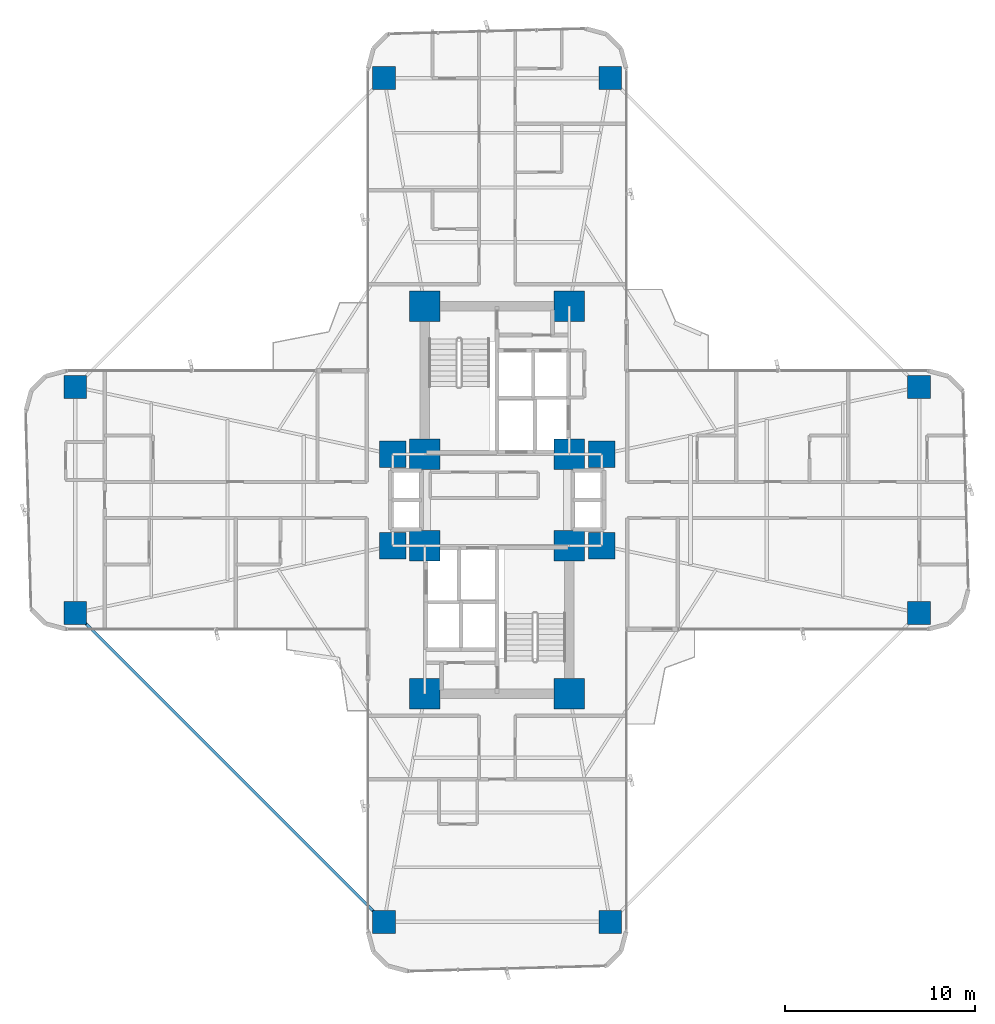
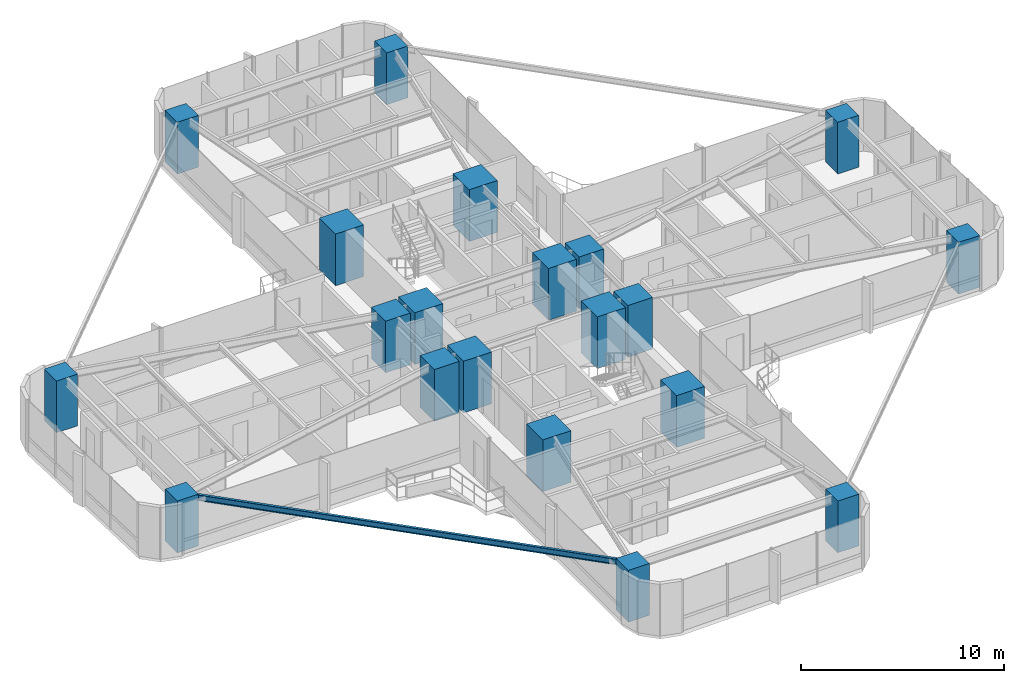
# One storey, part 1 of 26: 20 columns, 1 beam.
"""IFC4 building model written with IfcOpenShell, lengths in metres."""

import ifcopenshell
import ifcopenshell.guid

model = None  # the IFC model being written
_history = None  # IfcOwnerHistory: only IFC2X3 demands one
_inside = {}  # id of a spatial element -> (the spatial element, [elements in it])
_under = {}  # id of a project, library or spatial element -> (it, [spatial elements below it])
_declared = {}  # id of a project -> (the project, [libraries it declares])
_typed = {}  # id of a type object -> (the type object, [elements of that type])
_made_of = {}  # id of a material, layer set ... -> (it, [elements and type objects made of it])


def new_model(schema):
    """Start an empty IFC model of exactly this schema.

    Asked for "IFC4X3", IfcOpenShell would pick the latest addendum, in which some entities
    have other attributes; the version numbers below select the first issue.
    IFC2X3 requires an IfcOwnerHistory on every rooted entity: one is made here for all.
    """
    global model, _history
    if schema == "IFC4X3":
        model = ifcopenshell.file(schema_version=(4, 3, 0, 0))
    else:
        model = ifcopenshell.file(schema=schema)
    _inside.clear()
    _under.clear()
    _declared.clear()
    _typed.clear()
    _made_of.clear()
    _history = None
    if model.schema == "IFC2X3":
        org = make("IfcOrganization", Name="unknown")
        user = make(
            "IfcPersonAndOrganization",
            ThePerson=make("IfcPerson", FamilyName="unknown"),
            TheOrganization=org,
        )
        app = make(
            "IfcApplication",
            ApplicationDeveloper=org,
            Version="unknown",
            ApplicationFullName="unknown",
            ApplicationIdentifier="unknown",
        )
        _history = make(
            "IfcOwnerHistory",
            OwningUser=user,
            OwningApplication=app,
            ChangeAction="ADDED",
            CreationDate=0,
        )
    return model


def make(cls, **values):
    """One entity of the class cls with the attributes given. An attribute that is None is left unset."""
    return model.create_entity(
        cls, **{name: value for name, value in values.items() if value is not None}
    )


def rooted(cls, **values):
    """An entity with a GlobalId (a new one), such as an element, a storey or a relation."""
    return make(cls, GlobalId=ifcopenshell.guid.new(), OwnerHistory=_history, **values)


def si_unit(unit_type, name, prefix=None):
    """IfcSIUnit, for example si_unit("LENGTHUNIT", "METRE", prefix="MILLI")."""
    return make("IfcSIUnit", UnitType=unit_type, Prefix=prefix, Name=name)


def assignment(units):
    """IfcUnitAssignment: the units of a project."""
    return None if units is None else make("IfcUnitAssignment", Units=units)


def point(xyz):
    """IfcCartesianPoint."""
    return None if xyz is None else make("IfcCartesianPoint", Coordinates=xyz)


def direction(xyz):
    """IfcDirection."""
    return None if xyz is None else make("IfcDirection", DirectionRatios=xyz)


def frame(location, z_axis=None, x_axis=None):
    """IfcAxis2Placement3D, a coordinate frame: its origin and axes. An axis left out is left unset."""
    return make(
        "IfcAxis2Placement3D",
        Location=point(location),
        Axis=direction(z_axis),
        RefDirection=direction(x_axis),
    )


def frame_2d(location, x_axis=None):
    """IfcAxis2Placement2D, a coordinate frame in the plane: its origin and x axis."""
    return make(
        "IfcAxis2Placement2D", Location=point(location), RefDirection=direction(x_axis)
    )


def origin():
    """The frame at (0, 0, 0) with its axes left unset."""
    return frame((0.0, 0.0, 0.0))


def origin_2d():
    """The frame at (0, 0) in the plane with its x axis left unset."""
    return frame_2d((0.0, 0.0))


def place(relative_to, where):
    """IfcLocalPlacement: puts the frame where relative to a parent placement (None: the world)."""
    return make(
        "IfcLocalPlacement", PlacementRelTo=relative_to, RelativePlacement=where
    )


def context(
    kind, dimensions, precision=None, world=None, true_north=None, identifier=None
):
    """IfcGeometricRepresentationContext, for example the 3D "Model" context."""
    return make(
        "IfcGeometricRepresentationContext",
        ContextIdentifier=identifier,
        ContextType=kind,
        CoordinateSpaceDimension=dimensions,
        Precision=precision,
        WorldCoordinateSystem=world,
        TrueNorth=true_north,
    )


def subcontext(parent, identifier, kind, view, scale=None):
    """IfcGeometricRepresentationSubContext, for example "Body" below "Model"."""
    return make(
        "IfcGeometricRepresentationSubContext",
        ContextIdentifier=identifier,
        ContextType=kind,
        ParentContext=parent,
        TargetScale=scale,
        TargetView=view,
    )


def project(units=None, contexts=None):
    """IfcProject with its units and contexts."""
    return rooted(
        "IfcProject",
        Name="project",
        RepresentationContexts=contexts,
        UnitsInContext=assignment(units),
    )


def spatial(cls, under=None, at=None, **own):
    """A site, building, storey or space (cls), placed at a placement, below another one or the project."""
    s = rooted(cls, ObjectPlacement=at, **own)
    if under is not None:
        _under.setdefault(under.id(), (under, []))[1].append(s)
    return s


def profile(cls, at=None, kind="AREA", **sizes):
    """A parametric profile (cls). Its sizes go by their IFC names, for example OverallWidth=200.0."""
    return make(cls, ProfileType=kind, Position=at, **sizes)


def rectangle(**sizes):
    """IfcRectangleProfileDef."""
    return profile("IfcRectangleProfileDef", **sizes)


def i_section(**sizes):
    """IfcIShapeProfileDef."""
    return profile("IfcIShapeProfileDef", **sizes)


def extrude(swept, where, along, depth):
    """IfcExtrudedAreaSolid: the profile swept, set in the frame where, extruded along a direction by depth."""
    return make(
        "IfcExtrudedAreaSolid",
        SweptArea=swept,
        Position=where,
        ExtrudedDirection=direction(along),
        Depth=depth,
    )


def shape(context_of_items, identifier, shape_type, items):
    """IfcShapeRepresentation: the items that make up one representation, for example the "Body"."""
    return make(
        "IfcShapeRepresentation",
        ContextOfItems=context_of_items,
        RepresentationIdentifier=identifier,
        RepresentationType=shape_type,
        Items=items,
    )


def source(mapping_origin, context_of_items, identifier, shape_type, items):
    """IfcRepresentationMap: a shape defined once, which mapped items show again and again."""
    return make(
        "IfcRepresentationMap",
        MappingOrigin=mapping_origin,
        MappedRepresentation=shape(context_of_items, identifier, shape_type, items),
    )


def transform(
    local_origin,
    x_axis=None,
    y_axis=None,
    z_axis=None,
    scale=None,
    scale2=None,
    scale3=None,
    uniform=True,
):
    """IfcCartesianTransformationOperator3D, or its non-uniform kind. x_axis, y_axis, z_axis: its Axis1, 2, 3."""
    if uniform:
        return make(
            "IfcCartesianTransformationOperator3D",
            Axis1=direction(x_axis),
            Axis2=direction(y_axis),
            LocalOrigin=point(local_origin),
            Scale=scale,
            Axis3=direction(z_axis),
        )
    return make(
        "IfcCartesianTransformationOperator3DnonUniform",
        Axis1=direction(x_axis),
        Axis2=direction(y_axis),
        LocalOrigin=point(local_origin),
        Scale=scale,
        Axis3=direction(z_axis),
        Scale2=scale2,
        Scale3=scale3,
    )


def mapped(mapping_source, mapping_target):
    """IfcMappedItem: shows the shape of a source again, moved by a transform."""
    return make(
        "IfcMappedItem", MappingSource=mapping_source, MappingTarget=mapping_target
    )


def material(Name=None, Category=None):
    """IfcMaterial."""
    return make("IfcMaterial", Name=Name, Category=Category)


def material_profile(
    of_material, cross_section, Name=None, Category=None, Priority=None
):
    """IfcMaterialProfile: a cross section and its material."""
    return make(
        "IfcMaterialProfile",
        Name=Name,
        Material=of_material,
        Profile=cross_section,
        Priority=Priority,
        Category=Category,
    )


def profile_set(profiles, Name=None, composite=None):
    """IfcMaterialProfileSet."""
    return make(
        "IfcMaterialProfileSet",
        Name=Name,
        MaterialProfiles=profiles,
        CompositeProfile=composite,
    )


def made_of(thing, what):
    """Note that an element or type object is made of a material, layer set ...; save() writes the relation."""
    if what is not None:
        _made_of.setdefault(what.id(), (what, []))[1].append(thing)
    return thing


def type_object(cls, material=None, **own):
    """A type object (cls), such as IfcWallType, which elements share."""
    return made_of(rooted(cls, **own), material)


def element(
    cls,
    number,
    at=None,
    inside=None,
    cuts=None,
    type_object=None,
    material=None,
    context=None,
    identifier="Body",
    shape_type=None,
    held_by="IfcProductDefinitionShape",
    body=None,
    shapes=None,
    **own,
):
    """One element of the class cls, such as IfcWall. Its Tag is "e" and its number.

    at: its placement. inside: the storey or other place that contains it. cuts: it is an
    opening in that element (IfcRelVoidsElement). A single representation is given by context,
    identifier, shape_type and body (its items); several are given by shapes. held_by: the class
    of the entity that holds the representations. save() writes the other relations.
    """
    e = rooted(cls, Tag="e%d" % number, ObjectPlacement=at, **own)
    if body is not None:
        shapes = [shape(context, identifier, shape_type, body)]
    if shapes is not None:
        e.Representation = make(held_by, Representations=shapes)
    if inside is not None:
        _inside.setdefault(inside.id(), (inside, []))[1].append(e)
    if cuts is not None:
        rooted(
            "IfcRelVoidsElement", RelatingBuildingElement=cuts, RelatedOpeningElement=e
        )
    if type_object is not None:
        _typed.setdefault(type_object.id(), (type_object, []))[1].append(e)
    return made_of(e, material)


def aggregate(whole, parts):
    """IfcRelAggregates: a whole, such as a stair, and the parts it consists of."""
    return rooted("IfcRelAggregates", RelatingObject=whole, RelatedObjects=parts)


def save(model, path):
    """Write the relations noted so far, then the file.

    IfcRelAggregates (storeys below a building ...), IfcRelContainedInSpatialStructure (elements
    in a storey), IfcRelDefinesByType, IfcRelAssociatesMaterial and IfcRelDeclares: one each for
    every whole, place, type object, material and project.
    """
    for whole, parts in _under.values():
        aggregate(whole, parts)
    for where, things in _inside.values():
        rooted(
            "IfcRelContainedInSpatialStructure",
            RelatedElements=things,
            RelatingStructure=where,
        )
    for kind, things in _typed.values():
        rooted("IfcRelDefinesByType", RelatedObjects=things, RelatingType=kind)
    for what, things in _made_of.values():
        rooted("IfcRelAssociatesMaterial", RelatedObjects=things, RelatingMaterial=what)
    for by, libraries in _declared.values():
        rooted("IfcRelDeclares", RelatingContext=by, RelatedDefinitions=libraries)
    model.write(path)


model = new_model("IFC4")

# Units and contexts
model_context = context("Model", 3, precision=1e-05, world=origin(), true_north=direction((0.0, 1.0)))
body_context = subcontext(model_context, "Body", "Model", "MODEL_VIEW")
ifc_project = project(units=[si_unit("LENGTHUNIT", "METRE"), si_unit("AREAUNIT", "SQUARE_METRE"), si_unit("VOLUMEUNIT", "CUBIC_METRE"), si_unit("PLANEANGLEUNIT", "RADIAN"), si_unit("MASSUNIT", "GRAM", prefix="KILO")], contexts=[model_context])

# Site, building, storey
site_placement = place(None, origin())
site = spatial("IfcSite", under=ifc_project, at=site_placement, CompositionType="ELEMENT")
building_placement = place(site_placement, origin())
building = spatial("IfcBuilding", under=site, at=building_placement, Name="Sahyath Konkavel Grand Hotel", CompositionType="ELEMENT")
storey_placement = place(building_placement, frame((0.0, 0.0, 26.449951171875)))
storey = spatial("IfcBuildingStorey", under=building, at=storey_placement, Name="L06", CompositionType="ELEMENT", Elevation=26.449951171875)

# Columns
ifc_material_1 = material(Name="Concrete C70/85", Category="concrete")
ifc_material_profile_1 = material_profile(ifc_material_1, rectangle(XDim=1.60009765625, YDim=1.60009765625, at=origin_2d()), Name="RC 1600x1600")
ifc_profile_set_1 = profile_set([ifc_material_profile_1], Name="Concrete C70/85")
column_type_1 = type_object("IfcColumnType", Name="COL-RC1600", PredefinedType="COLUMN", material=ifc_profile_set_1)
shared_shape_1 = source(origin(), body_context, "Body", "SweptSolid", [
    extrude(rectangle(XDim=1.60009765625, YDim=1.60009765625, at=origin_2d()), origin(), (0.0, 0.0, 1.0), 3.110107421875),
])
for number, where, z_axis, x_axis, name in (
    (1, (-3.800048828125, 2.39990234375, 0.0), (0.0, 0.0, 1.0), (1.0, 0.0, 0.0), "L06 Core Boundary Column NC-SW"),
    (2, (3.800048828125, 2.39990234375, 0.0), (0.0, 0.0, 1.0), (1.0, 0.0, 0.0), "L06 Core Boundary Column NC-SE"),
    (3, (-3.800048828125, 10.199951171875, 0.0), (0.0, 0.0, 1.0), (1.0, 0.0, 0.0), "L06 Core Boundary Column NC-NW"),
    (4, (3.800048828125, 10.199951171875, 0.0), (0.0, 0.0, 1.0), (1.0, 0.0, 0.0), "L06 Core Boundary Column NC-NE"),
    (5, (-3.800048828125, -2.39990234375, 0.0), (0.0, 0.0, 1.0), (1.0, 0.0, 0.0), "L06 Core Boundary Column SC-NW"),
    (6, (3.800048828125, -2.39990234375, 0.0), (0.0, 0.0, 1.0), (1.0, 0.0, 0.0), "L06 Core Boundary Column SC-NE"),
    (7, (-3.800048828125, -10.199951171875, 0.0), (0.0, 0.0, 1.0), (1.0, 0.0, 0.0), "L06 Core Boundary Column SC-SW"),
    (8, (3.800048828125, -10.199951171875, 0.0), (0.0, 0.0, 1.0), (1.0, 0.0, 0.0), "L06 Core Boundary Column SC-SE"),
):
    element("IfcColumn", number, at=place(storey_placement, frame(where, z_axis=z_axis, x_axis=x_axis)), inside=storey, type_object=column_type_1, Name=name, PredefinedType="COLUMN", context=body_context, shape_type="MappedRepresentation", body=[
        mapped(shared_shape_1, transform((0.0, 0.0, 0.0), scale=1.0)),
    ])
ifc_material_profile_2 = material_profile(ifc_material_1, rectangle(XDim=1.39990234375, YDim=1.39990234375, at=origin_2d()), Name="RC 1400x1400")
ifc_profile_set_2 = profile_set([ifc_material_profile_2], Name="Concrete C70/85")
column_type_2 = type_object("IfcColumnType", Name="COL-RC1400", PredefinedType="COLUMN", material=ifc_profile_set_2)
shared_shape_2 = source(origin(), body_context, "Body", "SweptSolid", [
    extrude(rectangle(XDim=1.39990234375, YDim=1.39990234375, at=origin_2d()), origin(), (0.0, 0.0, 1.0), 3.110107421875),
])
for number, where, z_axis, x_axis, name in (
    (9, (5.5, 2.39990234375, 0.0), (0.0, 0.0, 1.0), (1.0, 0.0, 0.0), "L06 Central Spine Column HB-NE"),
    (10, (-5.5, 2.39990234375, 0.0), (0.0, 0.0, 1.0), (1.0, 0.0, 0.0), "L06 Central Spine Column HB-NW"),
    (11, (5.5, -2.39990234375, 0.0), (0.0, 0.0, 1.0), (1.0, 0.0, 0.0), "L06 Central Spine Column HB-SE"),
    (12, (-5.5, -2.39990234375, 0.0), (0.0, 0.0, 1.0), (1.0, 0.0, 0.0), "L06 Central Spine Column HB-SW"),
):
    element("IfcColumn", number, at=place(storey_placement, frame(where, z_axis=z_axis, x_axis=x_axis)), inside=storey, type_object=column_type_2, Name=name, PredefinedType="COLUMN", context=body_context, shape_type="MappedRepresentation", body=[
        mapped(shared_shape_2, transform((0.0, 0.0, 0.0), scale=1.0)),
    ])
ifc_material_2 = material(Name="Concrete C50/60", Category="concrete")
ifc_material_profile_3 = material_profile(ifc_material_2, rectangle(XDim=1.199951171875, YDim=1.199951171875, at=origin_2d()), Name="RC 1200x1200")
ifc_profile_set_3 = profile_set([ifc_material_profile_3], Name="Concrete C50/60")
column_type_3 = type_object("IfcColumnType", Name="COL-RC1200", PredefinedType="COLUMN", material=ifc_profile_set_3)
shared_shape_3 = source(origin(), body_context, "Body", "SweptSolid", [
    extrude(rectangle(XDim=1.199951171875, YDim=1.199951171875, at=origin_2d()), origin(), (0.0, 0.0, 1.0), 3.110107421875),
])
for number, where, z_axis, x_axis, name in (
    (13, (22.199951171875, -5.949951171875, 0.0), (0.0, 0.0, 1.0), (1.0, 0.0, 0.0), "L06 Cruciform Wing Column WC-EA"),
    (14, (22.199951171875, 5.949951171875, 0.0), (0.0, 0.0, 1.0), (1.0, 0.0, 0.0), "L06 Cruciform Wing Column WC-EB"),
    (15, (5.949951171875, 22.199951171875, 0.0), (0.0, 0.0, 1.0), (1.0, 0.0, 0.0), "L06 Cruciform Wing Column WC-NA"),
    (16, (-5.949951171875, 22.199951171875, 0.0), (0.0, 0.0, 1.0), (1.0, 0.0, 0.0), "L06 Cruciform Wing Column WC-NB"),
    (17, (-22.199951171875, 5.949951171875, 0.0), (0.0, 0.0, 1.0), (1.0, 0.0, 0.0), "L06 Cruciform Wing Column WC-WA"),
    (18, (-22.199951171875, -5.949951171875, 0.0), (0.0, 0.0, 1.0), (1.0, 0.0, 0.0), "L06 Cruciform Wing Column WC-WB"),
    (19, (-5.949951171875, -22.199951171875, 0.0), (0.0, 0.0, 1.0), (1.0, 0.0, 0.0), "L06 Cruciform Wing Column WC-SA"),
    (20, (5.949951171875, -22.199951171875, 0.0), (0.0, 0.0, 1.0), (1.0, 0.0, 0.0), "L06 Cruciform Wing Column WC-SB"),
):
    element("IfcColumn", number, at=place(storey_placement, frame(where, z_axis=z_axis, x_axis=x_axis)), inside=storey, type_object=column_type_3, Name=name, PredefinedType="COLUMN", context=body_context, shape_type="MappedRepresentation", body=[
        mapped(shared_shape_3, transform((0.0, 0.0, 0.0), scale=1.0)),
    ])

# Beam
ifc_material_3 = material(Name="Steel E350", Category="steel")
ifc_material_profile_4 = material_profile(ifc_material_3, i_section(OverallWidth=0.139892578125, OverallDepth=0.35009765625, WebThickness=0.008056640625, FlangeThickness=0.01416015625, FilletRadius=0.013916015625, at=origin_2d()), Name="ISMB 350")
ifc_profile_set_4 = profile_set([ifc_material_profile_4], Name="Steel E350")
beam_type = type_object("IfcBeamType", Name="BM-ISMB350", PredefinedType="BEAM", material=ifc_profile_set_4)
shared_shape_4 = source(origin(), body_context, "Body", "SweptSolid", [
    extrude(i_section(OverallWidth=0.139892578125, OverallDepth=0.35009765625, WebThickness=0.008056640625, FlangeThickness=0.01416015625, FilletRadius=0.013916015625, at=origin_2d()), origin(), (0.0, 0.0, 1.0), 22.98095703125),
])
beam_placement = place(storey_placement, frame((-22.199951171875, -5.949951171875, 2.93505859375), z_axis=(0.707106781187, -0.707106781187, 0.0), x_axis=(0.707106781187, 0.707106781187, 0.0)))
element("IfcBeam", 21, at=beam_placement, inside=storey, type_object=beam_type, Name="L06 Re-Entrant Tie Beam SW", PredefinedType="BEAM", context=body_context, shape_type="MappedRepresentation", body=[
    mapped(shared_shape_4, transform((0.0, 0.0, 0.0), scale=1.0)),
])

save(model, "model.ifc")
